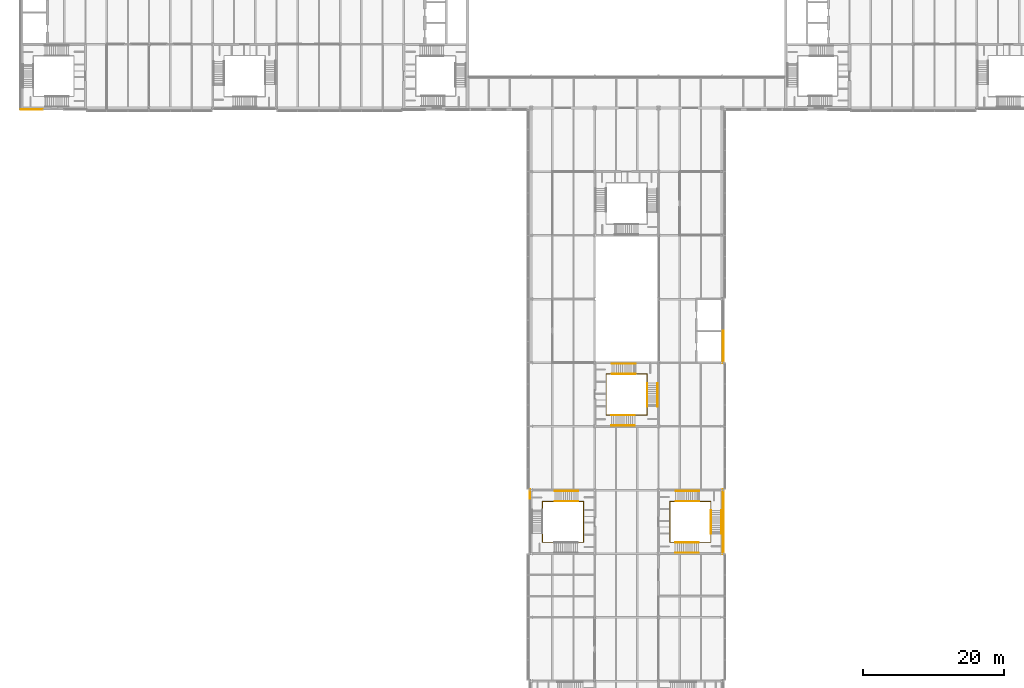
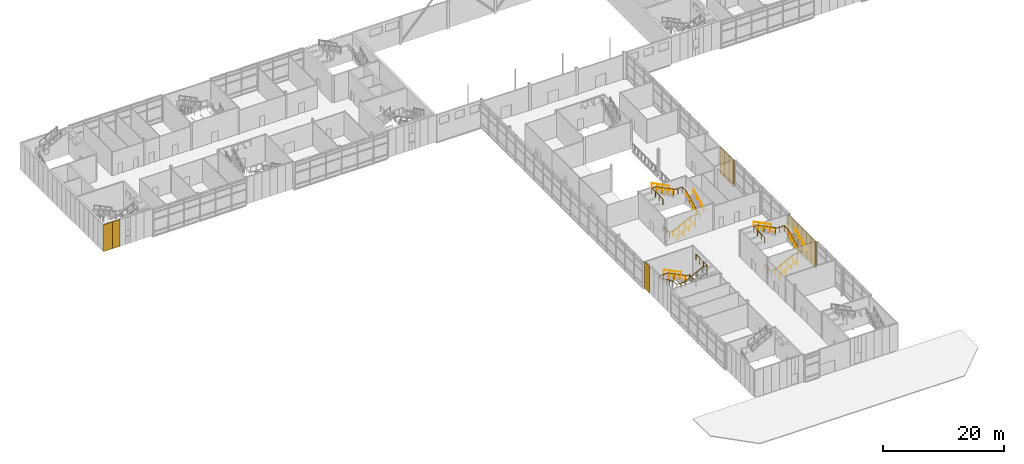
# One storey, part 49 of 56: 17 railings, 12 coverings.
"""IFC4 building model written with IfcOpenShell, lengths in metres."""

from ifc_helpers import new_model, si_unit, direction, frame, origin, origin_2d, place, context, subcontext, project, spatial, rectangle, circle, extrude, material, layer, layer_set, type_object, element, save


model = new_model("IFC4")

# Units and contexts
model_context = context("Model", 3, precision=1e-05, world=origin(), true_north=direction((0.0, 1.0)))
body_context = subcontext(model_context, "Body", "Model", "MODEL_VIEW")
ifc_project = project(units=[si_unit("LENGTHUNIT", "METRE"), si_unit("AREAUNIT", "SQUARE_METRE"), si_unit("VOLUMEUNIT", "CUBIC_METRE"), si_unit("PLANEANGLEUNIT", "RADIAN"), si_unit("MASSUNIT", "GRAM", prefix="KILO")], contexts=[model_context])

# Site, building, storey
site_placement = place(None, origin())
site = spatial("IfcSite", under=ifc_project, at=site_placement, CompositionType="ELEMENT")
building_placement = place(site_placement, origin())
building = spatial("IfcBuilding", under=site, at=building_placement, Name="Azimuth Sports and Learning Centre", CompositionType="ELEMENT")
storey_placement = place(building_placement, frame((0.0, 0.0, 5.39990234375)))
storey = spatial("IfcBuildingStorey", under=building, at=storey_placement, Name="L01", CompositionType="ELEMENT", Elevation=5.39990234375)

# Coverings
ifc_material_1 = material(Name="Cladding panel")
ifc_layer = layer(ifc_material_1, 0.10009765625)
ifc_layer_set = layer_set([ifc_layer], Name="Cladding panel")
covering_type = type_object("IfcCoveringType", Name="Cladding panel 100", PredefinedType="CLADDING", material=ifc_layer_set)
covering_1_placement = place(storey_placement, frame((0.675048828125, 89.800048828125, 0.000244140625), z_axis=(0.0, 0.0, 1.0), x_axis=(1.0, 0.0, 0.0)))
element("IfcCovering", 1, at=covering_1_placement, inside=storey, type_object=covering_type, Name="Cladding panel S-END W L01 1", PredefinedType="CLADDING", context=body_context, shape_type="SweptSolid", body=[
    extrude(rectangle(XDim=1.64990234375, YDim=0.10009765625, at=origin_2d()), origin(), (0.0, 0.0, 1.0), 5.39990234375),
])
covering_2_placement = place(storey_placement, frame((2.25, 89.800048828125, 0.000244140625), z_axis=(0.0, 0.0, 1.0), x_axis=(1.0, 0.0, 0.0)))
element("IfcCovering", 2, at=covering_2_placement, inside=storey, type_object=covering_type, Name="Cladding panel S-END W L01 2", PredefinedType="CLADDING", context=body_context, shape_type="SweptSolid", body=[
    extrude(rectangle(XDim=1.5, YDim=0.10009765625, at=origin_2d()), origin(), (0.0, 0.0, 1.0), 5.39990234375),
])
for number, where, z_axis, x_axis, name in (
    (3, (71.85009765625, 35.300048828125, 0.000244140625), (0.0, 0.0, 1.0), (0.0, -1.0, 0.0), "Cladding panel W-ST3 L01 1"),
    (4, (99.14990234375, 27.699951171875, 0.000244140625), (0.0, 0.0, 1.0), (0.0, 1.0, 0.0), "Cladding panel E-ST4 L01 1"),
):
    element("IfcCovering", number, at=place(storey_placement, frame(where, z_axis=z_axis, x_axis=x_axis)), inside=storey, type_object=covering_type, Name=name, PredefinedType="CLADDING", context=body_context, shape_type="SweptSolid", body=[
        extrude(rectangle(XDim=1.60009765625, YDim=0.10009765625, at=origin_2d()), origin(), (0.0, 0.0, 1.0), 5.39990234375),
    ])
for number, where, z_axis, x_axis, name in (
    (5, (99.14990234375, 29.25, 0.000244140625), (0.0, 0.0, 1.0), (0.0, 1.0, 0.0), "Cladding panel E-ST4 L01 2"),
    (6, (99.14990234375, 30.75, 0.000244140625), (0.0, 0.0, 1.0), (0.0, 1.0, 0.0), "Cladding panel E-ST4 L01 3"),
    (7, (99.14990234375, 32.25, 0.000244140625), (0.0, 0.0, 1.0), (0.0, 1.0, 0.0), "Cladding panel E-ST4 L01 4"),
    (8, (99.14990234375, 33.75, 0.000244140625), (0.0, 0.0, 1.0), (0.0, 1.0, 0.0), "Cladding panel E-ST4 L01 5"),
):
    element("IfcCovering", number, at=place(storey_placement, frame(where, z_axis=z_axis, x_axis=x_axis)), inside=storey, type_object=covering_type, Name=name, PredefinedType="CLADDING", context=body_context, shape_type="SweptSolid", body=[
        extrude(rectangle(XDim=1.5, YDim=0.10009765625, at=origin_2d()), origin(), (0.0, 0.0, 1.0), 5.39990234375),
    ])
for number, where, z_axis, x_axis, name in (
    (9, (99.14990234375, 35.300048828125, 0.000244140625), (0.0, 0.0, 1.0), (0.0, 1.0, 0.0), "Cladding panel E-ST4 L01 6"),
    (10, (99.14990234375, 54.699951171875, 0.000244140625), (0.0, 0.0, 1.0), (0.0, 1.0, 0.0), "Cladding panel E-STL L01 1"),
):
    element("IfcCovering", number, at=place(storey_placement, frame(where, z_axis=z_axis, x_axis=x_axis)), inside=storey, type_object=covering_type, Name=name, PredefinedType="CLADDING", context=body_context, shape_type="SweptSolid", body=[
        extrude(rectangle(XDim=1.60009765625, YDim=0.10009765625, at=origin_2d()), origin(), (0.0, 0.0, 1.0), 5.39990234375),
    ])
for number, where, z_axis, x_axis, name in (
    (11, (99.14990234375, 56.25, 0.000244140625), (0.0, 0.0, 1.0), (0.0, 1.0, 0.0), "Cladding panel E-STL L01 2"),
    (12, (99.14990234375, 57.75, 0.000244140625), (0.0, 0.0, 1.0), (0.0, 1.0, 0.0), "Cladding panel E-STL L01 3"),
):
    element("IfcCovering", number, at=place(storey_placement, frame(where, z_axis=z_axis, x_axis=x_axis)), inside=storey, type_object=covering_type, Name=name, PredefinedType="CLADDING", context=body_context, shape_type="SweptSolid", body=[
        extrude(rectangle(XDim=1.5, YDim=0.10009765625, at=origin_2d()), origin(), (0.0, 0.0, 1.0), 5.39990234375),
    ])

# Railings
ifc_material_2 = material(Name="Stainless steel", Category="steel")
railing_type_1 = type_object("IfcRailingType", Name="Stair guard 1100", PredefinedType="GUARDRAIL", material=ifc_material_2)
railing_1_placement = place(storey_placement, frame((79.389892578125, 32.25, 0.0)))
element("IfcRailing", 13, at=railing_1_placement, inside=storey, type_object=railing_type_1, Name="Guard ST3 L01 well", PredefinedType="GUARDRAIL", context=body_context, shape_type="SweptSolid", body=[
    extrude(circle(Radius=0.02392578125, at=origin_2d()), frame((0.0, 0.0, 1.076171875), z_axis=(0.0, 1.0, 0.0), x_axis=(-1.0, 0.0, 0.0)), (0.0, 0.0, 1.0), 2.139892578125),
    extrude(circle(Radius=0.02392578125, at=origin_2d()), frame((0.0, 2.139892578125, 1.076171875), z_axis=(-1.0, 0.0, 0.0), x_axis=(0.0, -1.0, 0.0)), (0.0, 0.0, 1.0), 0.75),
    extrude(circle(Radius=0.02392578125, at=origin_2d()), frame((-0.75, 2.139892578125, 1.076171875), z_axis=(0.0, 0.0, 1.0), x_axis=(1.0, 0.0, 0.0)), (0.0, 0.0, 1.0), 0.150146484375),
    extrude(circle(Radius=0.02392578125, at=origin_2d()), frame((-0.75, 2.139892578125, 1.22607421875), z_axis=(-0.894427191, 0.0, 0.4472135955), x_axis=(0.0, -1.0, 0.0)), (0.0, 0.0, 1.0), 3.689208984375),
    extrude(circle(Radius=0.02392578125, at=origin_2d()), frame((-4.0498046875, 2.139892578125, 2.8759765625), z_axis=(-1.0, 0.0, 0.0), x_axis=(0.0, -1.0, 0.0)), (0.0, 0.0, 1.0), 1.72998046875),
    extrude(circle(Radius=0.02392578125, at=origin_2d()), frame((-5.77978515625, 2.139892578125, 2.8759765625), z_axis=(0.0, -1.0, 0.0), x_axis=(1.0, 0.0, 0.0)), (0.0, 0.0, 1.0), 1.199951171875),
    extrude(circle(Radius=0.02392578125, at=origin_2d()), frame((-5.77978515625, 0.93994140625, 2.8759765625), z_axis=(0.0, 0.0, 1.0), x_axis=(1.0, 0.0, 0.0)), (0.0, 0.0, 1.0), 0.150146484375),
    extrude(circle(Radius=0.02392578125, at=origin_2d()), frame((-5.77978515625, 0.93994140625, 3.0263671875), z_axis=(0.0, -0.894440424912, 0.447187126696), x_axis=(1.0, 0.0, 0.0)), (0.0, 0.0, 1.0), 3.689453125),
    extrude(circle(Radius=0.02392578125, at=origin_2d()), frame((-5.77978515625, -2.360107421875, 4.67626953125), z_axis=(0.0, -1.0, 0.0), x_axis=(1.0, 0.0, 0.0)), (0.0, 0.0, 1.0), 1.27978515625),
    extrude(circle(Radius=0.02392578125, at=origin_2d()), frame((-5.77978515625, -3.639892578125, 4.67626953125), z_axis=(1.0, 0.0, 0.0), x_axis=(0.0, 1.0, 0.0)), (0.0, 0.0, 1.0), 1.64990234375),
    extrude(circle(Radius=0.02392578125, at=origin_2d()), frame((-4.1298828125, -3.639892578125, 4.67626953125), z_axis=(0.0, 0.0, 1.0), x_axis=(1.0, 0.0, 0.0)), (0.0, 0.0, 1.0), 0.14990234375),
    extrude(circle(Radius=0.02392578125, at=origin_2d()), frame((-4.1298828125, -3.639892578125, 4.826171875), z_axis=(0.894413956696, 0.0, 0.447240063129), x_axis=(0.0, 1.0, 0.0)), (0.0, 0.0, 1.0), 3.689697265625),
    extrude(circle(Radius=0.02392578125, at=origin_2d()), frame((-0.829833984375, -3.639892578125, 6.47607421875), z_axis=(1.0, 0.0, 0.0), x_axis=(0.0, 1.0, 0.0)), (0.0, 0.0, 1.0), 0.829833984375),
    extrude(circle(Radius=0.02392578125, at=origin_2d()), frame((0.0, -3.639892578125, 6.47607421875), z_axis=(0.0, 1.0, 0.0), x_axis=(-1.0, 0.0, 0.0)), (0.0, 0.0, 1.0), 3.639892578125),
    extrude(circle(Radius=0.01611328125, at=origin_2d()), origin(), (0.0, 0.0, 1.0), 1.052001953125),
    extrude(circle(Radius=0.01611328125, at=origin_2d()), frame((0.0, 1.06982421875, 0.0)), (0.0, 0.0, 1.0), 1.052001953125),
    extrude(circle(Radius=0.01611328125, at=origin_2d()), frame((0.0, 2.139892578125, 0.0)), (0.0, 0.0, 1.0), 1.052001953125),
    extrude(circle(Radius=0.01611328125, at=origin_2d()), frame((-0.75, 2.139892578125, 0.0)), (0.0, 0.0, 1.0), 1.052001953125),
    extrude(circle(Radius=0.01611328125, at=origin_2d()), frame((-0.75, 2.139892578125, 0.150146484375)), (0.0, 0.0, 1.0), 1.052001953125),
    extrude(circle(Radius=0.01611328125, at=origin_2d()), frame((-1.849853515625, 2.139892578125, 0.7001953125)), (0.0, 0.0, 1.0), 1.052001953125),
    extrude(circle(Radius=0.01611328125, at=origin_2d()), frame((-2.949951171875, 2.139892578125, 1.25)), (0.0, 0.0, 1.0), 1.052001953125),
    extrude(circle(Radius=0.01611328125, at=origin_2d()), frame((-4.0498046875, 2.139892578125, 1.800048828125)), (0.0, 0.0, 1.0), 1.052001953125),
    extrude(circle(Radius=0.01611328125, at=origin_2d()), frame((-4.914794921875, 2.139892578125, 1.800048828125)), (0.0, 0.0, 1.0), 1.052001953125),
    extrude(circle(Radius=0.01611328125, at=origin_2d()), frame((-5.77978515625, 2.139892578125, 1.800048828125)), (0.0, 0.0, 1.0), 1.052001953125),
    extrude(circle(Radius=0.01611328125, at=origin_2d()), frame((-5.77978515625, 0.93994140625, 1.800048828125)), (0.0, 0.0, 1.0), 1.052001953125),
    extrude(circle(Radius=0.01611328125, at=origin_2d()), frame((-5.77978515625, 0.93994140625, 1.9501953125)), (0.0, 0.0, 1.0), 1.052001953125),
    extrude(circle(Radius=0.01611328125, at=origin_2d()), frame((-5.77978515625, -0.16015625, 2.500244140625)), (0.0, 0.0, 1.0), 1.052001953125),
    extrude(circle(Radius=0.01611328125, at=origin_2d()), frame((-5.77978515625, -1.260009765625, 3.050048828125)), (0.0, 0.0, 1.0), 1.052001953125),
    extrude(circle(Radius=0.01611328125, at=origin_2d()), frame((-5.77978515625, -2.360107421875, 3.60009765625)), (0.0, 0.0, 1.0), 1.052001953125),
    extrude(circle(Radius=0.01611328125, at=origin_2d()), frame((-5.77978515625, -3.639892578125, 3.60009765625)), (0.0, 0.0, 1.0), 1.052001953125),
    extrude(circle(Radius=0.01611328125, at=origin_2d()), frame((-4.954833984375, -3.639892578125, 3.60009765625)), (0.0, 0.0, 1.0), 1.052001953125),
    extrude(circle(Radius=0.01611328125, at=origin_2d()), frame((-4.1298828125, -3.639892578125, 3.60009765625)), (0.0, 0.0, 1.0), 1.052001953125),
    extrude(circle(Radius=0.01611328125, at=origin_2d()), frame((-4.1298828125, -3.639892578125, 3.75)), (0.0, 0.0, 1.0), 1.052001953125),
    extrude(circle(Radius=0.01611328125, at=origin_2d()), frame((-3.02978515625, -3.639892578125, 4.300048828125)), (0.0, 0.0, 1.0), 1.052001953125),
    extrude(circle(Radius=0.01611328125, at=origin_2d()), frame((-1.929931640625, -3.639892578125, 4.85009765625)), (0.0, 0.0, 1.0), 1.052001953125),
    extrude(circle(Radius=0.01611328125, at=origin_2d()), frame((-0.829833984375, -3.639892578125, 5.400146484375)), (0.0, 0.0, 1.0), 1.052001953125),
    extrude(circle(Radius=0.01611328125, at=origin_2d()), frame((0.0, -3.639892578125, 5.400146484375)), (0.0, 0.0, 1.0), 1.052001953125),
    extrude(circle(Radius=0.01611328125, at=origin_2d()), frame((0.0, -2.426513671875, 5.400146484375)), (0.0, 0.0, 1.0), 1.052001953125),
    extrude(circle(Radius=0.01611328125, at=origin_2d()), frame((0.0, -1.21337890625, 5.400146484375)), (0.0, 0.0, 1.0), 1.052001953125),
    extrude(circle(Radius=0.01611328125, at=origin_2d()), frame((0.0, 0.0, 5.400146484375)), (0.0, 0.0, 1.0), 1.052001953125),
])
railing_2_placement = place(storey_placement, frame((91.610107421875, 30.75, 0.0)))
element("IfcRailing", 14, at=railing_2_placement, inside=storey, type_object=railing_type_1, Name="Guard ST4 L01 well", PredefinedType="GUARDRAIL", context=body_context, shape_type="SweptSolid", body=[
    extrude(circle(Radius=0.02392578125, at=origin_2d()), frame((0.0, 0.0, 1.076171875), z_axis=(0.0, -1.0, 0.0), x_axis=(1.0, 0.0, 0.0)), (0.0, 0.0, 1.0), 2.139892578125),
    extrude(circle(Radius=0.02392578125, at=origin_2d()), frame((0.0, -2.139892578125, 1.076171875), z_axis=(1.0, 0.0, 0.0), x_axis=(0.0, 1.0, 0.0)), (0.0, 0.0, 1.0), 0.75),
    extrude(circle(Radius=0.02392578125, at=origin_2d()), frame((0.75, -2.139892578125, 1.076171875), z_axis=(0.0, 0.0, 1.0), x_axis=(1.0, 0.0, 0.0)), (0.0, 0.0, 1.0), 0.150146484375),
    extrude(circle(Radius=0.02392578125, at=origin_2d()), frame((0.75, -2.139892578125, 1.22607421875), z_axis=(0.894427191, 0.0, 0.4472135955), x_axis=(0.0, 1.0, 0.0)), (0.0, 0.0, 1.0), 3.689208984375),
    extrude(circle(Radius=0.02392578125, at=origin_2d()), frame((4.0498046875, -2.139892578125, 2.8759765625), z_axis=(1.0, 0.0, 0.0), x_axis=(0.0, 1.0, 0.0)), (0.0, 0.0, 1.0), 1.72998046875),
    extrude(circle(Radius=0.02392578125, at=origin_2d()), frame((5.77978515625, -2.139892578125, 2.8759765625), z_axis=(0.0, 1.0, 0.0), x_axis=(-1.0, 0.0, 0.0)), (0.0, 0.0, 1.0), 1.199951171875),
    extrude(circle(Radius=0.02392578125, at=origin_2d()), frame((5.77978515625, -0.93994140625, 2.8759765625), z_axis=(0.0, 0.0, 1.0), x_axis=(1.0, 0.0, 0.0)), (0.0, 0.0, 1.0), 0.150146484375),
    extrude(circle(Radius=0.02392578125, at=origin_2d()), frame((5.77978515625, -0.93994140625, 3.0263671875), z_axis=(0.0, 0.894440424912, 0.447187126696), x_axis=(-1.0, 0.0, 0.0)), (0.0, 0.0, 1.0), 3.689453125),
    extrude(circle(Radius=0.02392578125, at=origin_2d()), frame((5.77978515625, 2.360107421875, 4.67626953125), z_axis=(0.0, 1.0, 0.0), x_axis=(-1.0, 0.0, 0.0)), (0.0, 0.0, 1.0), 1.27978515625),
    extrude(circle(Radius=0.02392578125, at=origin_2d()), frame((5.77978515625, 3.639892578125, 4.67626953125), z_axis=(-1.0, 0.0, 0.0), x_axis=(0.0, -1.0, 0.0)), (0.0, 0.0, 1.0), 1.64990234375),
    extrude(circle(Radius=0.02392578125, at=origin_2d()), frame((4.1298828125, 3.639892578125, 4.67626953125), z_axis=(0.0, 0.0, 1.0), x_axis=(1.0, 0.0, 0.0)), (0.0, 0.0, 1.0), 0.14990234375),
    extrude(circle(Radius=0.02392578125, at=origin_2d()), frame((4.1298828125, 3.639892578125, 4.826171875), z_axis=(-0.894413956696, 0.0, 0.447240063129), x_axis=(0.0, -1.0, 0.0)), (0.0, 0.0, 1.0), 3.689697265625),
    extrude(circle(Radius=0.02392578125, at=origin_2d()), frame((0.829833984375, 3.639892578125, 6.47607421875), z_axis=(-1.0, 0.0, 0.0), x_axis=(0.0, -1.0, 0.0)), (0.0, 0.0, 1.0), 0.829833984375),
    extrude(circle(Radius=0.02392578125, at=origin_2d()), frame((0.0, 3.639892578125, 6.47607421875), z_axis=(0.0, -1.0, 0.0), x_axis=(1.0, 0.0, 0.0)), (0.0, 0.0, 1.0), 3.639892578125),
    extrude(circle(Radius=0.01611328125, at=origin_2d()), origin(), (0.0, 0.0, 1.0), 1.052001953125),
    extrude(circle(Radius=0.01611328125, at=origin_2d()), frame((0.0, -1.06982421875, 0.0)), (0.0, 0.0, 1.0), 1.052001953125),
    extrude(circle(Radius=0.01611328125, at=origin_2d()), frame((0.0, -2.139892578125, 0.0)), (0.0, 0.0, 1.0), 1.052001953125),
    extrude(circle(Radius=0.01611328125, at=origin_2d()), frame((0.75, -2.139892578125, 0.0)), (0.0, 0.0, 1.0), 1.052001953125),
    extrude(circle(Radius=0.01611328125, at=origin_2d()), frame((0.75, -2.139892578125, 0.150146484375)), (0.0, 0.0, 1.0), 1.052001953125),
    extrude(circle(Radius=0.01611328125, at=origin_2d()), frame((1.849853515625, -2.139892578125, 0.7001953125)), (0.0, 0.0, 1.0), 1.052001953125),
    extrude(circle(Radius=0.01611328125, at=origin_2d()), frame((2.949951171875, -2.139892578125, 1.25)), (0.0, 0.0, 1.0), 1.052001953125),
    extrude(circle(Radius=0.01611328125, at=origin_2d()), frame((4.0498046875, -2.139892578125, 1.800048828125)), (0.0, 0.0, 1.0), 1.052001953125),
    extrude(circle(Radius=0.01611328125, at=origin_2d()), frame((4.914794921875, -2.139892578125, 1.800048828125)), (0.0, 0.0, 1.0), 1.052001953125),
    extrude(circle(Radius=0.01611328125, at=origin_2d()), frame((5.77978515625, -2.139892578125, 1.800048828125)), (0.0, 0.0, 1.0), 1.052001953125),
    extrude(circle(Radius=0.01611328125, at=origin_2d()), frame((5.77978515625, -0.93994140625, 1.800048828125)), (0.0, 0.0, 1.0), 1.052001953125),
    extrude(circle(Radius=0.01611328125, at=origin_2d()), frame((5.77978515625, -0.93994140625, 1.9501953125)), (0.0, 0.0, 1.0), 1.052001953125),
    extrude(circle(Radius=0.01611328125, at=origin_2d()), frame((5.77978515625, 0.16015625, 2.500244140625)), (0.0, 0.0, 1.0), 1.052001953125),
    extrude(circle(Radius=0.01611328125, at=origin_2d()), frame((5.77978515625, 1.260009765625, 3.050048828125)), (0.0, 0.0, 1.0), 1.052001953125),
    extrude(circle(Radius=0.01611328125, at=origin_2d()), frame((5.77978515625, 2.360107421875, 3.60009765625)), (0.0, 0.0, 1.0), 1.052001953125),
    extrude(circle(Radius=0.01611328125, at=origin_2d()), frame((5.77978515625, 3.639892578125, 3.60009765625)), (0.0, 0.0, 1.0), 1.052001953125),
    extrude(circle(Radius=0.01611328125, at=origin_2d()), frame((4.954833984375, 3.639892578125, 3.60009765625)), (0.0, 0.0, 1.0), 1.052001953125),
    extrude(circle(Radius=0.01611328125, at=origin_2d()), frame((4.1298828125, 3.639892578125, 3.60009765625)), (0.0, 0.0, 1.0), 1.052001953125),
    extrude(circle(Radius=0.01611328125, at=origin_2d()), frame((4.1298828125, 3.639892578125, 3.75)), (0.0, 0.0, 1.0), 1.052001953125),
    extrude(circle(Radius=0.01611328125, at=origin_2d()), frame((3.02978515625, 3.639892578125, 4.300048828125)), (0.0, 0.0, 1.0), 1.052001953125),
    extrude(circle(Radius=0.01611328125, at=origin_2d()), frame((1.929931640625, 3.639892578125, 4.85009765625)), (0.0, 0.0, 1.0), 1.052001953125),
    extrude(circle(Radius=0.01611328125, at=origin_2d()), frame((0.829833984375, 3.639892578125, 5.400146484375)), (0.0, 0.0, 1.0), 1.052001953125),
    extrude(circle(Radius=0.01611328125, at=origin_2d()), frame((0.0, 3.639892578125, 5.400146484375)), (0.0, 0.0, 1.0), 1.052001953125),
    extrude(circle(Radius=0.01611328125, at=origin_2d()), frame((0.0, 2.426513671875, 5.400146484375)), (0.0, 0.0, 1.0), 1.052001953125),
    extrude(circle(Radius=0.01611328125, at=origin_2d()), frame((0.0, 1.21337890625, 5.400146484375)), (0.0, 0.0, 1.0), 1.052001953125),
    extrude(circle(Radius=0.01611328125, at=origin_2d()), frame((0.0, 0.0, 5.400146484375)), (0.0, 0.0, 1.0), 1.052001953125),
])
railing_3_placement = place(storey_placement, frame((82.610107421875, 48.75, 0.0)))
element("IfcRailing", 15, at=railing_3_placement, inside=storey, type_object=railing_type_1, Name="Guard STC L01 well", PredefinedType="GUARDRAIL", context=body_context, shape_type="SweptSolid", body=[
    extrude(circle(Radius=0.02392578125, at=origin_2d()), frame((0.0, 0.0, 1.076171875), z_axis=(0.0, -1.0, 0.0), x_axis=(1.0, 0.0, 0.0)), (0.0, 0.0, 1.0), 2.139892578125),
    extrude(circle(Radius=0.02392578125, at=origin_2d()), frame((0.0, -2.139892578125, 1.076171875), z_axis=(1.0, 0.0, 0.0), x_axis=(0.0, 1.0, 0.0)), (0.0, 0.0, 1.0), 0.75),
    extrude(circle(Radius=0.02392578125, at=origin_2d()), frame((0.75, -2.139892578125, 1.076171875), z_axis=(0.0, 0.0, 1.0), x_axis=(1.0, 0.0, 0.0)), (0.0, 0.0, 1.0), 0.150146484375),
    extrude(circle(Radius=0.02392578125, at=origin_2d()), frame((0.75, -2.139892578125, 1.22607421875), z_axis=(0.894427191, 0.0, 0.4472135955), x_axis=(0.0, 1.0, 0.0)), (0.0, 0.0, 1.0), 3.689208984375),
    extrude(circle(Radius=0.02392578125, at=origin_2d()), frame((4.0498046875, -2.139892578125, 2.8759765625), z_axis=(1.0, 0.0, 0.0), x_axis=(0.0, 1.0, 0.0)), (0.0, 0.0, 1.0), 1.72998046875),
    extrude(circle(Radius=0.02392578125, at=origin_2d()), frame((5.77978515625, -2.139892578125, 2.8759765625), z_axis=(0.0, 1.0, 0.0), x_axis=(-1.0, 0.0, 0.0)), (0.0, 0.0, 1.0), 1.199951171875),
    extrude(circle(Radius=0.02392578125, at=origin_2d()), frame((5.77978515625, -0.93994140625, 2.8759765625), z_axis=(0.0, 0.0, 1.0), x_axis=(1.0, 0.0, 0.0)), (0.0, 0.0, 1.0), 0.150146484375),
    extrude(circle(Radius=0.02392578125, at=origin_2d()), frame((5.77978515625, -0.93994140625, 3.0263671875), z_axis=(0.0, 0.894440424912, 0.447187126696), x_axis=(-1.0, 0.0, 0.0)), (0.0, 0.0, 1.0), 3.689453125),
    extrude(circle(Radius=0.02392578125, at=origin_2d()), frame((5.77978515625, 2.360107421875, 4.67626953125), z_axis=(0.0, 1.0, 0.0), x_axis=(-1.0, 0.0, 0.0)), (0.0, 0.0, 1.0), 1.27978515625),
    extrude(circle(Radius=0.02392578125, at=origin_2d()), frame((5.77978515625, 3.639892578125, 4.67626953125), z_axis=(-1.0, 0.0, 0.0), x_axis=(0.0, -1.0, 0.0)), (0.0, 0.0, 1.0), 1.64990234375),
    extrude(circle(Radius=0.02392578125, at=origin_2d()), frame((4.1298828125, 3.639892578125, 4.67626953125), z_axis=(0.0, 0.0, 1.0), x_axis=(1.0, 0.0, 0.0)), (0.0, 0.0, 1.0), 0.14990234375),
    extrude(circle(Radius=0.02392578125, at=origin_2d()), frame((4.1298828125, 3.639892578125, 4.826171875), z_axis=(-0.894413956696, 0.0, 0.447240063129), x_axis=(0.0, -1.0, 0.0)), (0.0, 0.0, 1.0), 3.689697265625),
    extrude(circle(Radius=0.02392578125, at=origin_2d()), frame((0.829833984375, 3.639892578125, 6.47607421875), z_axis=(-1.0, 0.0, 0.0), x_axis=(0.0, -1.0, 0.0)), (0.0, 0.0, 1.0), 0.829833984375),
    extrude(circle(Radius=0.02392578125, at=origin_2d()), frame((0.0, 3.639892578125, 6.47607421875), z_axis=(0.0, -1.0, 0.0), x_axis=(1.0, 0.0, 0.0)), (0.0, 0.0, 1.0), 3.639892578125),
    extrude(circle(Radius=0.01611328125, at=origin_2d()), origin(), (0.0, 0.0, 1.0), 1.052001953125),
    extrude(circle(Radius=0.01611328125, at=origin_2d()), frame((0.0, -1.06982421875, 0.0)), (0.0, 0.0, 1.0), 1.052001953125),
    extrude(circle(Radius=0.01611328125, at=origin_2d()), frame((0.0, -2.139892578125, 0.0)), (0.0, 0.0, 1.0), 1.052001953125),
    extrude(circle(Radius=0.01611328125, at=origin_2d()), frame((0.75, -2.139892578125, 0.0)), (0.0, 0.0, 1.0), 1.052001953125),
    extrude(circle(Radius=0.01611328125, at=origin_2d()), frame((0.75, -2.139892578125, 0.150146484375)), (0.0, 0.0, 1.0), 1.052001953125),
    extrude(circle(Radius=0.01611328125, at=origin_2d()), frame((1.849853515625, -2.139892578125, 0.7001953125)), (0.0, 0.0, 1.0), 1.052001953125),
    extrude(circle(Radius=0.01611328125, at=origin_2d()), frame((2.949951171875, -2.139892578125, 1.25)), (0.0, 0.0, 1.0), 1.052001953125),
    extrude(circle(Radius=0.01611328125, at=origin_2d()), frame((4.0498046875, -2.139892578125, 1.800048828125)), (0.0, 0.0, 1.0), 1.052001953125),
    extrude(circle(Radius=0.01611328125, at=origin_2d()), frame((4.914794921875, -2.139892578125, 1.800048828125)), (0.0, 0.0, 1.0), 1.052001953125),
    extrude(circle(Radius=0.01611328125, at=origin_2d()), frame((5.77978515625, -2.139892578125, 1.800048828125)), (0.0, 0.0, 1.0), 1.052001953125),
    extrude(circle(Radius=0.01611328125, at=origin_2d()), frame((5.77978515625, -0.93994140625, 1.800048828125)), (0.0, 0.0, 1.0), 1.052001953125),
    extrude(circle(Radius=0.01611328125, at=origin_2d()), frame((5.77978515625, -0.93994140625, 1.9501953125)), (0.0, 0.0, 1.0), 1.052001953125),
    extrude(circle(Radius=0.01611328125, at=origin_2d()), frame((5.77978515625, 0.16015625, 2.500244140625)), (0.0, 0.0, 1.0), 1.052001953125),
    extrude(circle(Radius=0.01611328125, at=origin_2d()), frame((5.77978515625, 1.260009765625, 3.050048828125)), (0.0, 0.0, 1.0), 1.052001953125),
    extrude(circle(Radius=0.01611328125, at=origin_2d()), frame((5.77978515625, 2.360107421875, 3.60009765625)), (0.0, 0.0, 1.0), 1.052001953125),
    extrude(circle(Radius=0.01611328125, at=origin_2d()), frame((5.77978515625, 3.639892578125, 3.60009765625)), (0.0, 0.0, 1.0), 1.052001953125),
    extrude(circle(Radius=0.01611328125, at=origin_2d()), frame((4.954833984375, 3.639892578125, 3.60009765625)), (0.0, 0.0, 1.0), 1.052001953125),
    extrude(circle(Radius=0.01611328125, at=origin_2d()), frame((4.1298828125, 3.639892578125, 3.60009765625)), (0.0, 0.0, 1.0), 1.052001953125),
    extrude(circle(Radius=0.01611328125, at=origin_2d()), frame((4.1298828125, 3.639892578125, 3.75)), (0.0, 0.0, 1.0), 1.052001953125),
    extrude(circle(Radius=0.01611328125, at=origin_2d()), frame((3.02978515625, 3.639892578125, 4.300048828125)), (0.0, 0.0, 1.0), 1.052001953125),
    extrude(circle(Radius=0.01611328125, at=origin_2d()), frame((1.929931640625, 3.639892578125, 4.85009765625)), (0.0, 0.0, 1.0), 1.052001953125),
    extrude(circle(Radius=0.01611328125, at=origin_2d()), frame((0.829833984375, 3.639892578125, 5.400146484375)), (0.0, 0.0, 1.0), 1.052001953125),
    extrude(circle(Radius=0.01611328125, at=origin_2d()), frame((0.0, 3.639892578125, 5.400146484375)), (0.0, 0.0, 1.0), 1.052001953125),
    extrude(circle(Radius=0.01611328125, at=origin_2d()), frame((0.0, 2.426513671875, 5.400146484375)), (0.0, 0.0, 1.0), 1.052001953125),
    extrude(circle(Radius=0.01611328125, at=origin_2d()), frame((0.0, 1.21337890625, 5.400146484375)), (0.0, 0.0, 1.0), 1.052001953125),
    extrude(circle(Radius=0.01611328125, at=origin_2d()), frame((0.0, 0.0, 5.400146484375)), (0.0, 0.0, 1.0), 1.052001953125),
])
ifc_material_3 = material(Name="Stainless steel", Category="steel")
railing_type_2 = type_object("IfcRailingType", Name="Stair handrail 42", PredefinedType="HANDRAIL", material=ifc_material_3)
for number, where, name in (
    (16, (78.639892578125, 34.419921875, 0.150146484375), "Handrail ST3 L01 flight 1 inner"),
    (17, (78.639892578125, 35.860107421875, 0.150146484375), "Handrail ST3 L01 flight 1 outer"),
):
    element("IfcRailing", number, at=place(storey_placement, frame(where)), inside=storey, type_object=railing_type_2, Name=name, PredefinedType="HANDRAIL", context=body_context, shape_type="SweptSolid", body=[
        extrude(circle(Radius=0.02099609375, at=origin_2d()), frame((0.0, 0.0, 0.87890625), z_axis=(-0.894427191, 0.0, 0.4472135955), x_axis=(0.0, -1.0, 0.0)), (0.0, 0.0, 1.0), 3.689208984375),
        extrude(circle(Radius=0.01611328125, at=origin_2d()), origin(), (0.0, 0.0, 1.0), 0.85791015625),
        extrude(circle(Radius=0.01611328125, at=origin_2d()), frame((-1.099853515625, 0.0, 0.550048828125)), (0.0, 0.0, 1.0), 0.85791015625),
        extrude(circle(Radius=0.01611328125, at=origin_2d()), frame((-2.199951171875, 0.0, 1.099853515625)), (0.0, 0.0, 1.0), 0.85791015625),
        extrude(circle(Radius=0.01611328125, at=origin_2d()), frame((-3.2998046875, 0.0, 1.64990234375)), (0.0, 0.0, 1.0), 0.85791015625),
    ])
for number, where, name in (
    (18, (92.360107421875, 28.580078125, 0.150146484375), "Handrail ST4 L01 flight 1 inner"),
    (19, (92.360107421875, 27.139892578125, 0.150146484375), "Handrail ST4 L01 flight 1 outer"),
):
    element("IfcRailing", number, at=place(storey_placement, frame(where)), inside=storey, type_object=railing_type_2, Name=name, PredefinedType="HANDRAIL", context=body_context, shape_type="SweptSolid", body=[
        extrude(circle(Radius=0.02099609375, at=origin_2d()), frame((0.0, 0.0, 0.87890625), z_axis=(0.894427191, 0.0, 0.4472135955), x_axis=(0.0, 1.0, 0.0)), (0.0, 0.0, 1.0), 3.689208984375),
        extrude(circle(Radius=0.01611328125, at=origin_2d()), origin(), (0.0, 0.0, 1.0), 0.85791015625),
        extrude(circle(Radius=0.01611328125, at=origin_2d()), frame((1.099853515625, 0.0, 0.550048828125)), (0.0, 0.0, 1.0), 0.85791015625),
        extrude(circle(Radius=0.01611328125, at=origin_2d()), frame((2.199951171875, 0.0, 1.099853515625)), (0.0, 0.0, 1.0), 0.85791015625),
        extrude(circle(Radius=0.01611328125, at=origin_2d()), frame((3.2998046875, 0.0, 1.64990234375)), (0.0, 0.0, 1.0), 0.85791015625),
    ])
for number, where, name in (
    (20, (97.419921875, 29.81005859375, 1.9501953125), "Handrail ST4 L01 flight 2 inner"),
    (21, (98.860107421875, 29.81005859375, 1.9501953125), "Handrail ST4 L01 flight 2 outer"),
):
    element("IfcRailing", number, at=place(storey_placement, frame(where)), inside=storey, type_object=railing_type_2, Name=name, PredefinedType="HANDRAIL", context=body_context, shape_type="SweptSolid", body=[
        extrude(circle(Radius=0.02099609375, at=origin_2d()), frame((0.0, 0.0, 0.87890625), z_axis=(0.0, 0.894440424912, 0.447187126696), x_axis=(-1.0, 0.0, 0.0)), (0.0, 0.0, 1.0), 3.689453125),
        extrude(circle(Radius=0.01611328125, at=origin_2d()), origin(), (0.0, 0.0, 1.0), 0.85791015625),
        extrude(circle(Radius=0.01611328125, at=origin_2d()), frame((0.0, 1.10009765625, 0.550048828125)), (0.0, 0.0, 1.0), 0.85791015625),
        extrude(circle(Radius=0.01611328125, at=origin_2d()), frame((0.0, 2.199951171875, 1.099853515625)), (0.0, 0.0, 1.0), 0.85791015625),
        extrude(circle(Radius=0.01611328125, at=origin_2d()), frame((0.0, 3.300048828125, 1.64990234375)), (0.0, 0.0, 1.0), 0.85791015625),
    ])
for number, where, name in (
    (22, (95.739990234375, 34.419921875, 3.75), "Handrail ST4 L01 flight 3 inner"),
    (23, (95.739990234375, 35.860107421875, 3.75), "Handrail ST4 L01 flight 3 outer"),
):
    element("IfcRailing", number, at=place(storey_placement, frame(where)), inside=storey, type_object=railing_type_2, Name=name, PredefinedType="HANDRAIL", context=body_context, shape_type="SweptSolid", body=[
        extrude(circle(Radius=0.02099609375, at=origin_2d()), frame((0.0, 0.0, 0.87890625), z_axis=(-0.894413956696, 0.0, 0.447240063129), x_axis=(0.0, -1.0, 0.0)), (0.0, 0.0, 1.0), 3.689697265625),
        extrude(circle(Radius=0.01611328125, at=origin_2d()), origin(), (0.0, 0.0, 1.0), 0.85791015625),
        extrude(circle(Radius=0.01611328125, at=origin_2d()), frame((-1.10009765625, 0.0, 0.550048828125)), (0.0, 0.0, 1.0), 0.85791015625),
        extrude(circle(Radius=0.01611328125, at=origin_2d()), frame((-2.199951171875, 0.0, 1.10009765625)), (0.0, 0.0, 1.0), 0.85791015625),
        extrude(circle(Radius=0.01611328125, at=origin_2d()), frame((-3.300048828125, 0.0, 1.650146484375)), (0.0, 0.0, 1.0), 0.85791015625),
    ])
for number, where, name in (
    (24, (83.360107421875, 46.580078125, 0.150146484375), "Handrail STC L01 flight 1 inner"),
    (25, (83.360107421875, 45.139892578125, 0.150146484375), "Handrail STC L01 flight 1 outer"),
):
    element("IfcRailing", number, at=place(storey_placement, frame(where)), inside=storey, type_object=railing_type_2, Name=name, PredefinedType="HANDRAIL", context=body_context, shape_type="SweptSolid", body=[
        extrude(circle(Radius=0.02099609375, at=origin_2d()), frame((0.0, 0.0, 0.87890625), z_axis=(0.894427191, 0.0, 0.4472135955), x_axis=(0.0, 1.0, 0.0)), (0.0, 0.0, 1.0), 3.689208984375),
        extrude(circle(Radius=0.01611328125, at=origin_2d()), origin(), (0.0, 0.0, 1.0), 0.85791015625),
        extrude(circle(Radius=0.01611328125, at=origin_2d()), frame((1.099853515625, 0.0, 0.550048828125)), (0.0, 0.0, 1.0), 0.85791015625),
        extrude(circle(Radius=0.01611328125, at=origin_2d()), frame((2.199951171875, 0.0, 1.099853515625)), (0.0, 0.0, 1.0), 0.85791015625),
        extrude(circle(Radius=0.01611328125, at=origin_2d()), frame((3.2998046875, 0.0, 1.64990234375)), (0.0, 0.0, 1.0), 0.85791015625),
    ])
for number, where, name in (
    (26, (88.419921875, 47.81005859375, 1.9501953125), "Handrail STC L01 flight 2 inner"),
    (27, (89.860107421875, 47.81005859375, 1.9501953125), "Handrail STC L01 flight 2 outer"),
):
    element("IfcRailing", number, at=place(storey_placement, frame(where)), inside=storey, type_object=railing_type_2, Name=name, PredefinedType="HANDRAIL", context=body_context, shape_type="SweptSolid", body=[
        extrude(circle(Radius=0.02099609375, at=origin_2d()), frame((0.0, 0.0, 0.87890625), z_axis=(0.0, 0.894440424912, 0.447187126696), x_axis=(-1.0, 0.0, 0.0)), (0.0, 0.0, 1.0), 3.689453125),
        extrude(circle(Radius=0.01611328125, at=origin_2d()), origin(), (0.0, 0.0, 1.0), 0.85791015625),
        extrude(circle(Radius=0.01611328125, at=origin_2d()), frame((0.0, 1.10009765625, 0.550048828125)), (0.0, 0.0, 1.0), 0.85791015625),
        extrude(circle(Radius=0.01611328125, at=origin_2d()), frame((0.0, 2.199951171875, 1.099853515625)), (0.0, 0.0, 1.0), 0.85791015625),
        extrude(circle(Radius=0.01611328125, at=origin_2d()), frame((0.0, 3.300048828125, 1.64990234375)), (0.0, 0.0, 1.0), 0.85791015625),
    ])
for number, where, name in (
    (28, (86.739990234375, 52.419921875, 3.75), "Handrail STC L01 flight 3 inner"),
    (29, (86.739990234375, 53.860107421875, 3.75), "Handrail STC L01 flight 3 outer"),
):
    element("IfcRailing", number, at=place(storey_placement, frame(where)), inside=storey, type_object=railing_type_2, Name=name, PredefinedType="HANDRAIL", context=body_context, shape_type="SweptSolid", body=[
        extrude(circle(Radius=0.02099609375, at=origin_2d()), frame((0.0, 0.0, 0.87890625), z_axis=(-0.894413956696, 0.0, 0.447240063129), x_axis=(0.0, -1.0, 0.0)), (0.0, 0.0, 1.0), 3.689697265625),
        extrude(circle(Radius=0.01611328125, at=origin_2d()), origin(), (0.0, 0.0, 1.0), 0.85791015625),
        extrude(circle(Radius=0.01611328125, at=origin_2d()), frame((-1.10009765625, 0.0, 0.550048828125)), (0.0, 0.0, 1.0), 0.85791015625),
        extrude(circle(Radius=0.01611328125, at=origin_2d()), frame((-2.199951171875, 0.0, 1.10009765625)), (0.0, 0.0, 1.0), 0.85791015625),
        extrude(circle(Radius=0.01611328125, at=origin_2d()), frame((-3.300048828125, 0.0, 1.650146484375)), (0.0, 0.0, 1.0), 0.85791015625),
    ])

save(model, "model.ifc")
